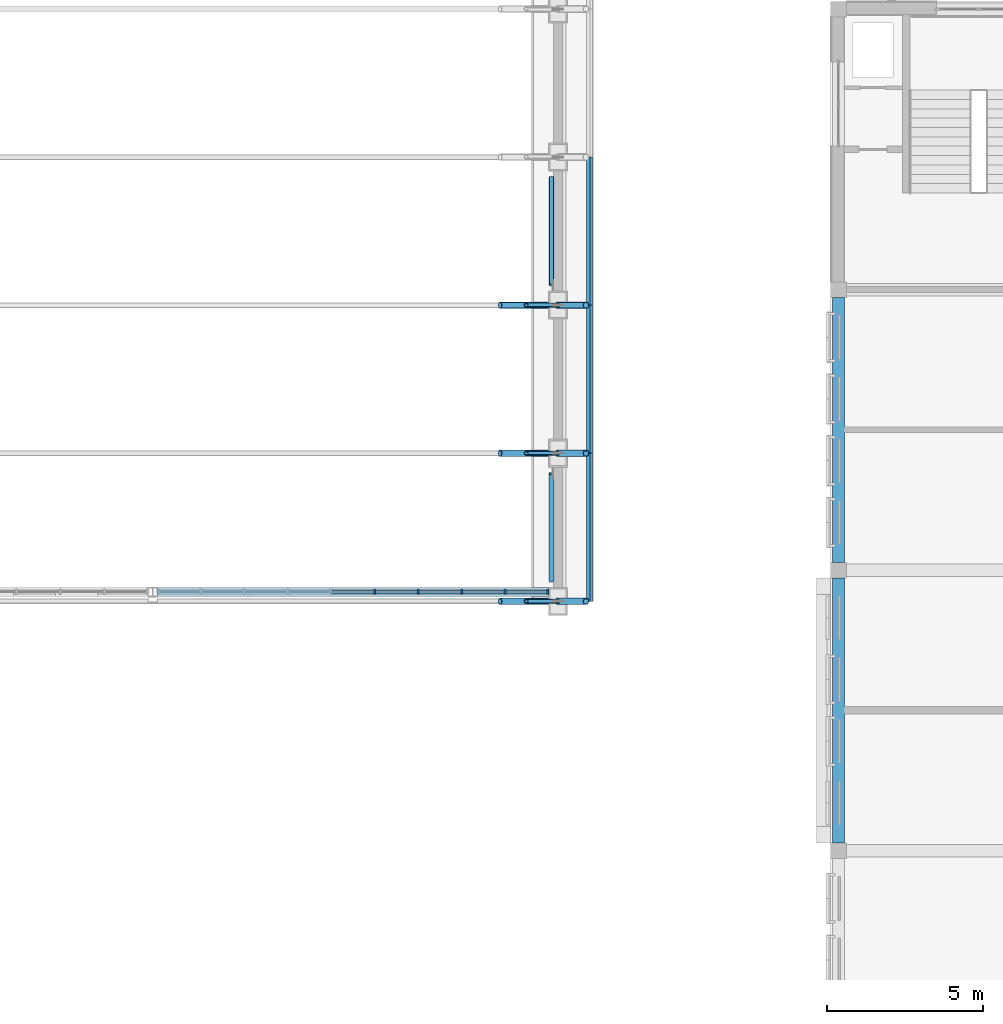
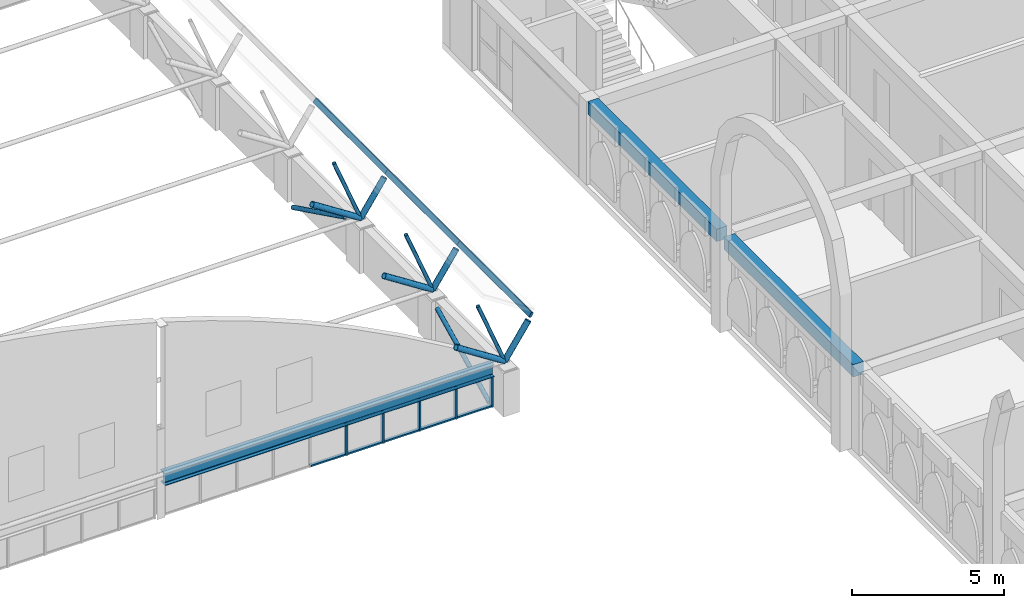
# One storey, part 19 of 65: 29 members, 3 beams, 1 element without a shape of its own.
"""IFC4 building model written with IfcOpenShell, lengths in metres."""

from ifc_helpers import new_model, si_unit, direction, frame, origin, origin_2d, place, context, subcontext, project, spatial, rectangle, hollow_rectangle, hollow_circle, i_section, extrude, material, material_profile, profile_set, type_object, element, aggregate, save


model = new_model("IFC4")

# Units and contexts
model_context = context("Model", 3, precision=1e-05, world=origin(), true_north=direction((0.0, 1.0)))
body_context = subcontext(model_context, "Body", "Model", "MODEL_VIEW")
ifc_project = project(units=[si_unit("LENGTHUNIT", "METRE"), si_unit("AREAUNIT", "SQUARE_METRE"), si_unit("VOLUMEUNIT", "CUBIC_METRE"), si_unit("PLANEANGLEUNIT", "RADIAN"), si_unit("MASSUNIT", "GRAM", prefix="KILO")], contexts=[model_context])

# Site, building, storey
site_placement = place(None, origin())
site = spatial("IfcSite", under=ifc_project, at=site_placement, CompositionType="ELEMENT")
building_placement = place(site_placement, origin())
building = spatial("IfcBuilding", under=site, at=building_placement, Name="Elbe Cascade School", CompositionType="ELEMENT")
storey_placement = place(building_placement, frame((0.0, 0.0, 11.699951171875)))
storey = spatial("IfcBuildingStorey", under=building, at=storey_placement, Name="L03", CompositionType="ELEMENT", Elevation=11.699951171875)

# Beam
ifc_material_1 = material(Name="Steel S355J2", Category="steel")
ifc_material_profile_1 = material_profile(ifc_material_1, i_section(OverallWidth=0.300048828125, OverallDepth=0.489990234375, WebThickness=0.011962890625, FlangeThickness=0.02294921875, FilletRadius=0.027099609375, at=origin_2d()), Name="HEA 500")
ifc_profile_set_1 = profile_set([ifc_material_profile_1], Name="Steel S355J2")
beam_type_1 = type_object("IfcBeamType", Name="Hall gable beam HEA 500", PredefinedType="BEAM", material=ifc_profile_set_1)
beam_placement = place(storey_placement, frame((47.14990234375, 41.300048828125, 1.505126953125), z_axis=(1.0, 0.0, 0.0), x_axis=(0.0, 1.0, 0.0)))
element("IfcBeam", 1, at=beam_placement, inside=storey, type_object=beam_type_1, Name="Gable beam S4", PredefinedType="BEAM", context=body_context, shape_type="SweptSolid", body=[
    extrude(i_section(OverallWidth=0.300048828125, OverallDepth=0.489990234375, WebThickness=0.011962890625, FlangeThickness=0.02294921875, FilletRadius=0.027099609375, at=origin_2d()), origin(), (0.0, 0.0, 1.0), 12.550048828125),
])

# Curtain wall, members
ifc_material_2 = material(Name="Glass - double glazed low-E", Category="glass")
curtain_wall_type = type_object("IfcCurtainWallType", Name="Hall gable curtain wall", PredefinedType="NOTDEFINED", material=ifc_material_2)
curtain_wall_placement = place(storey_placement, origin())
curtain_wall = element("IfcCurtainWall", 2, at=curtain_wall_placement, inside=storey, type_object=curtain_wall_type, Name="Gable curtain wall S4", PredefinedType="NOTDEFINED")
ifc_material_3 = material(Name="Aluminium - bronze anodised", Category="aluminium")
ifc_material_profile_2 = material_profile(ifc_material_3, rectangle(XDim=0.159912109375, YDim=0.06005859375, at=origin_2d()), Name="Alu 60x160")
ifc_profile_set_2 = profile_set([ifc_material_profile_2], Name="Aluminium - bronze anodised")
member_type_1 = type_object("IfcMemberType", Name="Hall gable mullion 60x160", PredefinedType="MULLION", material=ifc_profile_set_2)
member_1_placement = place(storey_placement, frame((54.122314453125, 41.300048828125, 0.0), z_axis=(0.0, 0.0, 1.0), x_axis=(0.0, 1.0, 0.0)))
member_1 = element("IfcMember", 3, at=member_1_placement, type_object=member_type_1, Name="CW6 mullion 6", PredefinedType="MULLION", context=body_context, shape_type="SweptSolid", body=[
    extrude(rectangle(XDim=0.159912109375, YDim=0.06005859375, at=origin_2d()), origin(), (0.0, 0.0, 1.0), 1.260009765625),
])
member_2_placement = place(storey_placement, frame((55.5166015625, 41.300048828125, 0.0), z_axis=(0.0, 0.0, 1.0), x_axis=(0.0, 1.0, 0.0)))
member_2 = element("IfcMember", 4, at=member_2_placement, type_object=member_type_1, Name="CW6 mullion 7", PredefinedType="MULLION", context=body_context, shape_type="SweptSolid", body=[
    extrude(rectangle(XDim=0.159912109375, YDim=0.06005859375, at=origin_2d()), origin(), (0.0, 0.0, 1.0), 1.260009765625),
])
member_3_placement = place(storey_placement, frame((56.9111328125, 41.300048828125, 0.0), z_axis=(0.0, 0.0, 1.0), x_axis=(0.0, 1.0, 0.0)))
member_3 = element("IfcMember", 5, at=member_3_placement, type_object=member_type_1, Name="CW6 mullion 8", PredefinedType="MULLION", context=body_context, shape_type="SweptSolid", body=[
    extrude(rectangle(XDim=0.159912109375, YDim=0.06005859375, at=origin_2d()), origin(), (0.0, 0.0, 1.0), 1.260009765625),
])
member_4_placement = place(storey_placement, frame((58.3056640625, 41.300048828125, 0.0), z_axis=(0.0, 0.0, 1.0), x_axis=(0.0, 1.0, 0.0)))
member_4 = element("IfcMember", 6, at=member_4_placement, type_object=member_type_1, Name="CW6 mullion 9", PredefinedType="MULLION", context=body_context, shape_type="SweptSolid", body=[
    extrude(rectangle(XDim=0.159912109375, YDim=0.06005859375, at=origin_2d()), origin(), (0.0, 0.0, 1.0), 1.260009765625),
])
member_5_placement = place(storey_placement, frame((59.669921875, 41.300048828125, 0.0), z_axis=(0.0, 0.0, 1.0), x_axis=(0.0, 1.0, 0.0)))
member_5 = element("IfcMember", 7, at=member_5_placement, type_object=member_type_1, Name="CW6 mullion 10", PredefinedType="MULLION", context=body_context, shape_type="SweptSolid", body=[
    extrude(rectangle(XDim=0.159912109375, YDim=0.06005859375, at=origin_2d()), origin(), (0.0, 0.0, 1.0), 1.260009765625),
])
ifc_material_4 = material(Name="Aluminium - bronze anodised", Category="aluminium")
ifc_material_profile_3 = material_profile(ifc_material_4, rectangle(XDim=0.1201171875, YDim=0.06005859375, at=origin_2d()), Name="Alu 60x120")
ifc_profile_set_3 = profile_set([ifc_material_profile_3], Name="Aluminium - bronze anodised")
member_type_2 = type_object("IfcMemberType", Name="Hall gable transom 60x120", PredefinedType="USERDEFINED", material=ifc_profile_set_3)
member_6_placement = place(storey_placement, frame((52.7578125, 41.300048828125, 0.030029296875), z_axis=(1.0, 0.0, 0.0), x_axis=(0.0, 1.0, 0.0)))
member_6 = element("IfcMember", 8, at=member_6_placement, type_object=member_type_2, Name="CW6 transom 5.1", ObjectType="TRANSOM", PredefinedType="USERDEFINED", context=body_context, shape_type="SweptSolid", body=[
    extrude(rectangle(XDim=0.1201171875, YDim=0.06005859375, at=origin_2d()), origin(), (0.0, 0.0, 1.0), 1.33447265625),
])
member_7_placement = place(storey_placement, frame((52.7578125, 41.300048828125, 1.22998046875), z_axis=(1.0, 0.0, 0.0), x_axis=(0.0, 1.0, 0.0)))
member_7 = element("IfcMember", 9, at=member_7_placement, type_object=member_type_2, Name="CW6 transom 5.2", ObjectType="TRANSOM", PredefinedType="USERDEFINED", context=body_context, shape_type="SweptSolid", body=[
    extrude(rectangle(XDim=0.1201171875, YDim=0.06005859375, at=origin_2d()), origin(), (0.0, 0.0, 1.0), 1.33447265625),
])
member_8_placement = place(storey_placement, frame((54.15234375, 41.300048828125, 0.030029296875), z_axis=(1.0, 0.0, 0.0), x_axis=(0.0, 1.0, 0.0)))
member_8 = element("IfcMember", 10, at=member_8_placement, type_object=member_type_2, Name="CW6 transom 6.1", ObjectType="TRANSOM", PredefinedType="USERDEFINED", context=body_context, shape_type="SweptSolid", body=[
    extrude(rectangle(XDim=0.1201171875, YDim=0.06005859375, at=origin_2d()), origin(), (0.0, 0.0, 1.0), 1.334228515625),
])
member_9_placement = place(storey_placement, frame((54.15234375, 41.300048828125, 1.22998046875), z_axis=(1.0, 0.0, 0.0), x_axis=(0.0, 1.0, 0.0)))
member_9 = element("IfcMember", 11, at=member_9_placement, type_object=member_type_2, Name="CW6 transom 6.2", ObjectType="TRANSOM", PredefinedType="USERDEFINED", context=body_context, shape_type="SweptSolid", body=[
    extrude(rectangle(XDim=0.1201171875, YDim=0.06005859375, at=origin_2d()), origin(), (0.0, 0.0, 1.0), 1.334228515625),
])
member_10_placement = place(storey_placement, frame((55.546630859375, 41.300048828125, 0.030029296875), z_axis=(1.0, 0.0, 0.0), x_axis=(0.0, 1.0, 0.0)))
member_10 = element("IfcMember", 12, at=member_10_placement, type_object=member_type_2, Name="CW6 transom 7.1", ObjectType="TRANSOM", PredefinedType="USERDEFINED", context=body_context, shape_type="SweptSolid", body=[
    extrude(rectangle(XDim=0.1201171875, YDim=0.06005859375, at=origin_2d()), origin(), (0.0, 0.0, 1.0), 1.33447265625),
])
member_11_placement = place(storey_placement, frame((55.546630859375, 41.300048828125, 1.22998046875), z_axis=(1.0, 0.0, 0.0), x_axis=(0.0, 1.0, 0.0)))
member_11 = element("IfcMember", 13, at=member_11_placement, type_object=member_type_2, Name="CW6 transom 7.2", ObjectType="TRANSOM", PredefinedType="USERDEFINED", context=body_context, shape_type="SweptSolid", body=[
    extrude(rectangle(XDim=0.1201171875, YDim=0.06005859375, at=origin_2d()), origin(), (0.0, 0.0, 1.0), 1.33447265625),
])
member_12_placement = place(storey_placement, frame((56.941162109375, 41.300048828125, 0.030029296875), z_axis=(1.0, 0.0, 0.0), x_axis=(0.0, 1.0, 0.0)))
member_12 = element("IfcMember", 14, at=member_12_placement, type_object=member_type_2, Name="CW6 transom 8.1", ObjectType="TRANSOM", PredefinedType="USERDEFINED", context=body_context, shape_type="SweptSolid", body=[
    extrude(rectangle(XDim=0.1201171875, YDim=0.06005859375, at=origin_2d()), origin(), (0.0, 0.0, 1.0), 1.33447265625),
])
member_13_placement = place(storey_placement, frame((56.941162109375, 41.300048828125, 1.22998046875), z_axis=(1.0, 0.0, 0.0), x_axis=(0.0, 1.0, 0.0)))
member_13 = element("IfcMember", 15, at=member_13_placement, type_object=member_type_2, Name="CW6 transom 8.2", ObjectType="TRANSOM", PredefinedType="USERDEFINED", context=body_context, shape_type="SweptSolid", body=[
    extrude(rectangle(XDim=0.1201171875, YDim=0.06005859375, at=origin_2d()), origin(), (0.0, 0.0, 1.0), 1.33447265625),
])
member_14_placement = place(storey_placement, frame((58.33544921875, 41.300048828125, 0.030029296875), z_axis=(1.0, 0.0, 0.0), x_axis=(0.0, 1.0, 0.0)))
member_14 = element("IfcMember", 16, at=member_14_placement, type_object=member_type_2, Name="CW6 transom 9.1", ObjectType="TRANSOM", PredefinedType="USERDEFINED", context=body_context, shape_type="SweptSolid", body=[
    extrude(rectangle(XDim=0.1201171875, YDim=0.06005859375, at=origin_2d()), origin(), (0.0, 0.0, 1.0), 1.304443359375),
])
member_15_placement = place(storey_placement, frame((58.33544921875, 41.300048828125, 1.22998046875), z_axis=(1.0, 0.0, 0.0), x_axis=(0.0, 1.0, 0.0)))
member_15 = element("IfcMember", 17, at=member_15_placement, type_object=member_type_2, Name="CW6 transom 9.2", ObjectType="TRANSOM", PredefinedType="USERDEFINED", context=body_context, shape_type="SweptSolid", body=[
    extrude(rectangle(XDim=0.1201171875, YDim=0.06005859375, at=origin_2d()), origin(), (0.0, 0.0, 1.0), 1.304443359375),
])
aggregate(curtain_wall, [member_1, member_2, member_3, member_4, member_5, member_6, member_7, member_8, member_9, member_10, member_11, member_12, member_13, member_14, member_15])

# Members
ifc_material_5 = material(Name="Steel S355J2H", Category="steel")
ifc_material_profile_4 = material_profile(ifc_material_5, hollow_circle(Radius=0.109619140625, WallThickness=0.012451171875, at=origin_2d()), Name="CHS 219.1x12.5")
ifc_profile_set_4 = profile_set([ifc_material_profile_4], Name="Steel S355J2H")
member_type_3 = type_object("IfcMemberType", Name="Hall rib bottom chord CHS 219.1x12.5", PredefinedType="CHORD", material=ifc_profile_set_4)
for number, where, z_axis, x_axis, name in (
    (18, (58.142822265625, 41.0, 3.090576171875), (0.840233339688, 0.0, -0.542224985478), (0.0, 1.0, 0.0), "Hall rib bottom chord CHS 219.1x12.5 M3"),
    (19, (58.142822265625, 45.75, 3.090576171875), (0.840233339688, 0.0, -0.542224985478), (0.0, 1.0, 0.0), "Hall rib bottom chord CHS 219.1x12.5 M3"),
    (20, (58.142822265625, 50.5, 3.090576171875), (0.840233339688, 0.0, -0.542224985478), (0.0, 1.0, 0.0), "Hall rib bottom chord CHS 219.1x12.5 M3"),
):
    element("IfcMember", number, at=place(storey_placement, frame(where, z_axis=z_axis, x_axis=x_axis)), inside=storey, type_object=member_type_3, Name=name, PredefinedType="CHORD", context=body_context, shape_type="SweptSolid", body=[
        extrude(hollow_circle(Radius=0.109619140625, WallThickness=0.012451171875, at=origin_2d()), origin(), (0.0, 0.0, 1.0), 2.210205078125),
    ])
ifc_material_6 = material(Name="Steel S355J2H", Category="steel")
ifc_material_profile_5 = material_profile(ifc_material_6, hollow_circle(Radius=0.109619140625, WallThickness=0.012451171875, at=origin_2d()), Name="CHS 219.1x12.5")
ifc_profile_set_5 = profile_set([ifc_material_profile_5], Name="Steel S355J2H")
member_type_4 = type_object("IfcMemberType", Name="Hall rib end post CHS 219.1x12.5", PredefinedType="POST", material=ifc_profile_set_5)
for number, where, z_axis, x_axis, name in (
    (21, (60.0, 41.0, 1.89208984375), (0.562143062018, 0.0, 0.827040009809), (0.0, 1.0, 0.0), "Hall rib end post CHS 219.1x12.5 M5"),
    (22, (60.0, 45.75, 1.89208984375), (0.562143062018, 0.0, 0.827040009809), (0.0, 1.0, 0.0), "Hall rib end post CHS 219.1x12.5 M5"),
    (23, (60.0, 50.5, 1.89208984375), (0.562143062018, 0.0, 0.827040009809), (0.0, 1.0, 0.0), "Hall rib end post CHS 219.1x12.5 M5"),
):
    element("IfcMember", number, at=place(storey_placement, frame(where, z_axis=z_axis, x_axis=x_axis)), inside=storey, type_object=member_type_4, Name=name, PredefinedType="POST", context=body_context, shape_type="SweptSolid", body=[
        extrude(hollow_circle(Radius=0.109619140625, WallThickness=0.012451171875, at=origin_2d()), origin(), (0.0, 0.0, 1.0), 1.599853515625),
    ])
ifc_material_7 = material(Name="Steel S355J2H", Category="steel")
ifc_material_profile_6 = material_profile(ifc_material_7, hollow_circle(Radius=0.06982421875, WallThickness=0.008056640625, at=origin_2d()), Name="CHS 139.7x8")
ifc_profile_set_6 = profile_set([ifc_material_profile_6], Name="Steel S355J2H")
member_type_5 = type_object("IfcMemberType", Name="Hall rib web CHS 139.7x8", PredefinedType="BRACE", material=ifc_profile_set_6)
for number, where, z_axis, x_axis, name in (
    (24, (58.97802734375, 41.0, 4.455322265625), (0.370353160415, 0.0, -0.928891025132), (0.0, 1.0, 0.0), "Hall rib web CHS 139.7x8 M4"),
    (25, (58.97802734375, 45.75, 4.455322265625), (0.370353160415, 0.0, -0.928891025132), (0.0, 1.0, 0.0), "Hall rib web CHS 139.7x8 M4"),
    (26, (58.97802734375, 50.5, 4.455322265625), (0.370353160415, 0.0, -0.928891025132), (0.0, 1.0, 0.0), "Hall rib web CHS 139.7x8 M4"),
):
    element("IfcMember", number, at=place(storey_placement, frame(where, z_axis=z_axis, x_axis=x_axis)), inside=storey, type_object=member_type_5, Name=name, PredefinedType="BRACE", context=body_context, shape_type="SweptSolid", body=[
        extrude(hollow_circle(Radius=0.06982421875, WallThickness=0.008056640625, at=origin_2d()), origin(), (0.0, 0.0, 1.0), 2.759521484375),
    ])
ifc_material_8 = material(Name="Steel S355J2H", Category="steel")
ifc_material_profile_7 = material_profile(ifc_material_8, hollow_rectangle(XDim=0.10009765625, YDim=0.199951171875, WallThickness=0.008056640625, InnerFilletRadius=0.008056640625, OuterFilletRadius=0.011962890625, at=origin_2d()), Name="RHS 200x100x8")
ifc_profile_set_7 = profile_set([ifc_material_profile_7], Name="Steel S355J2H")
member_type_6 = type_object("IfcMemberType", Name="Hall roof purlin RHS 200x100x8", PredefinedType="PURLIN", material=ifc_profile_set_7)
for number, where, z_axis, x_axis, name in (
    (27, (61.015625, 41.0, 3.38623046875), (0.0, 1.0, 0.0), (-0.827027027028, 0.0, 0.562162162161), "Hall roof purlin RHS 200x100x8 M8"),
    (28, (61.015625, 45.75, 3.38623046875), (0.0, 1.0, 0.0), (-0.827027027028, 0.0, 0.562162162161), "Hall roof purlin RHS 200x100x8 M8"),
    (29, (61.015625, 50.5, 3.38623046875), (0.0, 1.0, 0.0), (-0.827027027028, 0.0, 0.562162162161), "Hall roof purlin RHS 200x100x8 M8"),
):
    element("IfcMember", number, at=place(storey_placement, frame(where, z_axis=z_axis, x_axis=x_axis)), inside=storey, type_object=member_type_6, Name=name, PredefinedType="PURLIN", context=body_context, shape_type="SweptSolid", body=[
        extrude(hollow_rectangle(XDim=0.10009765625, YDim=0.199951171875, WallThickness=0.008056640625, InnerFilletRadius=0.008056640625, OuterFilletRadius=0.011962890625, at=origin_2d()), origin(), (0.0, 0.0, 1.0), 4.75),
    ])
ifc_material_9 = material(Name="Steel S355J2H", Category="steel")
ifc_material_profile_8 = material_profile(ifc_material_9, hollow_circle(Radius=0.084228515625, WallThickness=0.010009765625, at=origin_2d()), Name="CHS 168.3x10")
ifc_profile_set_8 = profile_set([ifc_material_profile_8], Name="Steel S355J2H")
member_type_7 = type_object("IfcMemberType", Name="Hall wall bracing CHS 168.3x10", PredefinedType="BRACE", material=ifc_profile_set_8)
for number, where, z_axis, x_axis, name in (
    (30, (59.7958984375, 41.64990234375, -0.099853515625), (0.0, 0.89702706343, 0.441975618643), (-1.0, 0.0, 0.0), "Hall wall bracing CHS 168.3x10 M10"),
    (31, (59.7958984375, 54.60009765625, -0.099853515625), (0.0, -0.89702706343, 0.441975618643), (1.0, 0.0, 0.0), "Hall wall bracing CHS 168.3x10 M10"),
):
    element("IfcMember", number, at=place(storey_placement, frame(where, z_axis=z_axis, x_axis=x_axis)), inside=storey, type_object=member_type_7, Name=name, PredefinedType="BRACE", context=body_context, shape_type="SweptSolid", body=[
        extrude(hollow_circle(Radius=0.084228515625, WallThickness=0.010009765625, at=origin_2d()), origin(), (0.0, 0.0, 1.0), 3.84619140625),
    ])

# Beams
ifc_material_10 = material(Name="Concrete C30/37", Category="concrete")
ifc_material_profile_9 = material_profile(ifc_material_10, rectangle(XDim=0.39990234375, YDim=0.5, at=origin_2d()), Name="RC 400x500")
ifc_profile_set_9 = profile_set([ifc_material_profile_9], Name="Concrete C30/37")
beam_type_2 = type_object("IfcBeamType", Name="RC 400x500 beam", PredefinedType="BEAM", material=ifc_profile_set_9)
for number, where, z_axis, x_axis, name in (
    (32, (69.0, 33.25, 3.10009765625), (0.0, 1.0, 0.0), (-1.0, 0.0, 0.0), "RC 400x500 beam B1"),
    (33, (69.0, 42.25, 3.10009765625), (0.0, 1.0, 0.0), (-1.0, 0.0, 0.0), "RC 400x500 beam B1"),
):
    element("IfcBeam", number, at=place(storey_placement, frame(where, z_axis=z_axis, x_axis=x_axis)), inside=storey, type_object=beam_type_2, Name=name, PredefinedType="BEAM", context=body_context, shape_type="SweptSolid", body=[
        extrude(rectangle(XDim=0.39990234375, YDim=0.5, at=origin_2d()), origin(), (0.0, 0.0, 1.0), 8.5),
    ])

save(model, "model.ifc")
